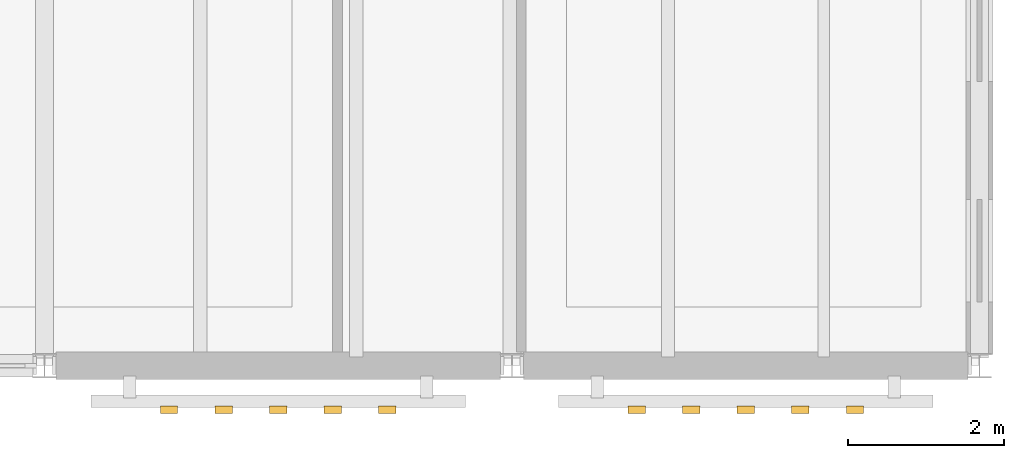
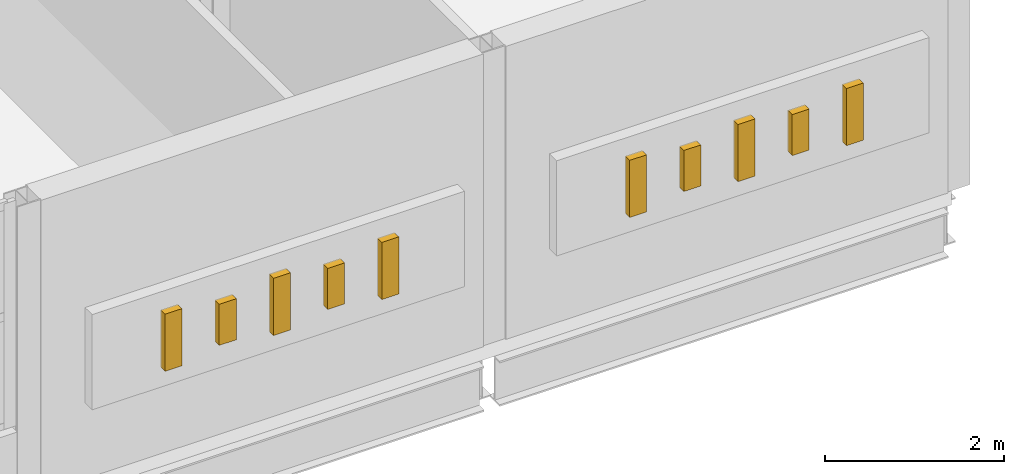
# One storey, part 92 of 92: 10 shading devices.
"""IFC4 building model written with IfcOpenShell, lengths in metres."""

from ifc_helpers import new_model, si_unit, direction, frame, origin, origin_2d, place, context, subcontext, project, spatial, rectangle, extrude, material, layer, layer_set, type_object, element, save


model = new_model("IFC4")

# Units and contexts
model_context = context("Model", 3, precision=1e-05, world=origin(), true_north=direction((0.0, 1.0)))
body_context = subcontext(model_context, "Body", "Model", "MODEL_VIEW")
ifc_project = project(units=[si_unit("LENGTHUNIT", "METRE"), si_unit("AREAUNIT", "SQUARE_METRE"), si_unit("VOLUMEUNIT", "CUBIC_METRE"), si_unit("PLANEANGLEUNIT", "RADIAN"), si_unit("MASSUNIT", "GRAM", prefix="KILO")], contexts=[model_context])

# Site, building, storey
site_placement = place(None, origin())
site = spatial("IfcSite", under=ifc_project, at=site_placement, CompositionType="ELEMENT")
building_placement = place(site_placement, origin())
building = spatial("IfcBuilding", under=site, at=building_placement, Name="Siltcreek Boulevard Central Fire Station", CompositionType="ELEMENT")
storey_placement = place(building_placement, frame((0.0, 0.0, 6.0)))
storey = spatial("IfcBuildingStorey", under=building, at=storey_placement, Name="L02", CompositionType="ELEMENT", Elevation=6.0)

# Shading devices
ifc_material = material(Name="Frey sage-green anodized tubular aluminum sunshade", Category="aluminium")
ifc_layer = layer(ifc_material, 0.080078125, Name="Frey sage-green anodized tubular aluminum sunshade")
ifc_layer_set = layer_set([ifc_layer], Name="Frey sage-green anodized tubular aluminum sunshade")
shading_device_type = type_object("IfcShadingDeviceType", Name="SHD_BRISE", PredefinedType="USERDEFINED", material=ifc_layer_set)
shading_device_1_placement = place(storey_placement, frame((49.60009765625, 1.235107421875, 1.4599609375), z_axis=(0.0, 0.0, 1.0), x_axis=(1.0, 0.0, 0.0)))
element("IfcShadingDevice", 1, at=shading_device_1_placement, inside=storey, type_object=shading_device_type, Name="Station sign architectural emblem fin SS-003", ObjectType="SUNSHADE", PredefinedType="USERDEFINED", context=body_context, shape_type="SweptSolid", body=[
    extrude(rectangle(XDim=0.219970703125, YDim=0.10009765625, at=origin_2d()), origin(), (0.0, 0.0, 1.0), 0.780029296875),
])
shading_device_2_placement = place(storey_placement, frame((50.300048828125, 1.235107421875, 1.570068359375), z_axis=(0.0, 0.0, 1.0), x_axis=(1.0, 0.0, 0.0)))
element("IfcShadingDevice", 2, at=shading_device_2_placement, inside=storey, type_object=shading_device_type, Name="Station sign architectural emblem fin SS-004", ObjectType="SUNSHADE", PredefinedType="USERDEFINED", context=body_context, shape_type="SweptSolid", body=[
    extrude(rectangle(XDim=0.219970703125, YDim=0.10009765625, at=origin_2d()), origin(), (0.0, 0.0, 1.0), 0.56005859375),
])
shading_device_3_placement = place(storey_placement, frame((51.0, 1.235107421875, 1.4599609375), z_axis=(0.0, 0.0, 1.0), x_axis=(1.0, 0.0, 0.0)))
element("IfcShadingDevice", 3, at=shading_device_3_placement, inside=storey, type_object=shading_device_type, Name="Station sign architectural emblem fin SS-005", ObjectType="SUNSHADE", PredefinedType="USERDEFINED", context=body_context, shape_type="SweptSolid", body=[
    extrude(rectangle(XDim=0.219970703125, YDim=0.10009765625, at=origin_2d()), origin(), (0.0, 0.0, 1.0), 0.780029296875),
])
shading_device_4_placement = place(storey_placement, frame((51.699951171875, 1.235107421875, 1.570068359375), z_axis=(0.0, 0.0, 1.0), x_axis=(1.0, 0.0, 0.0)))
element("IfcShadingDevice", 4, at=shading_device_4_placement, inside=storey, type_object=shading_device_type, Name="Station sign architectural emblem fin SS-006", ObjectType="SUNSHADE", PredefinedType="USERDEFINED", context=body_context, shape_type="SweptSolid", body=[
    extrude(rectangle(XDim=0.219970703125, YDim=0.10009765625, at=origin_2d()), origin(), (0.0, 0.0, 1.0), 0.56005859375),
])
for number, where, z_axis, x_axis, name in (
    (5, (52.39990234375, 1.235107421875, 1.4599609375), (0.0, 0.0, 1.0), (1.0, 0.0, 0.0), "Station sign architectural emblem fin SS-007"),
    (6, (55.60009765625, 1.235107421875, 1.4599609375), (0.0, 0.0, 1.0), (1.0, 0.0, 0.0), "Station sign architectural emblem fin SS-009"),
):
    element("IfcShadingDevice", number, at=place(storey_placement, frame(where, z_axis=z_axis, x_axis=x_axis)), inside=storey, type_object=shading_device_type, Name=name, ObjectType="SUNSHADE", PredefinedType="USERDEFINED", context=body_context, shape_type="SweptSolid", body=[
        extrude(rectangle(XDim=0.219970703125, YDim=0.10009765625, at=origin_2d()), origin(), (0.0, 0.0, 1.0), 0.780029296875),
    ])
shading_device_5_placement = place(storey_placement, frame((56.300048828125, 1.235107421875, 1.570068359375), z_axis=(0.0, 0.0, 1.0), x_axis=(1.0, 0.0, 0.0)))
element("IfcShadingDevice", 7, at=shading_device_5_placement, inside=storey, type_object=shading_device_type, Name="Station sign architectural emblem fin SS-010", ObjectType="SUNSHADE", PredefinedType="USERDEFINED", context=body_context, shape_type="SweptSolid", body=[
    extrude(rectangle(XDim=0.219970703125, YDim=0.10009765625, at=origin_2d()), origin(), (0.0, 0.0, 1.0), 0.56005859375),
])
shading_device_6_placement = place(storey_placement, frame((57.0, 1.235107421875, 1.4599609375), z_axis=(0.0, 0.0, 1.0), x_axis=(1.0, 0.0, 0.0)))
element("IfcShadingDevice", 8, at=shading_device_6_placement, inside=storey, type_object=shading_device_type, Name="Station sign architectural emblem fin SS-011", ObjectType="SUNSHADE", PredefinedType="USERDEFINED", context=body_context, shape_type="SweptSolid", body=[
    extrude(rectangle(XDim=0.219970703125, YDim=0.10009765625, at=origin_2d()), origin(), (0.0, 0.0, 1.0), 0.780029296875),
])
shading_device_7_placement = place(storey_placement, frame((57.699951171875, 1.235107421875, 1.570068359375), z_axis=(0.0, 0.0, 1.0), x_axis=(1.0, 0.0, 0.0)))
element("IfcShadingDevice", 9, at=shading_device_7_placement, inside=storey, type_object=shading_device_type, Name="Station sign architectural emblem fin SS-012", ObjectType="SUNSHADE", PredefinedType="USERDEFINED", context=body_context, shape_type="SweptSolid", body=[
    extrude(rectangle(XDim=0.219970703125, YDim=0.10009765625, at=origin_2d()), origin(), (0.0, 0.0, 1.0), 0.56005859375),
])
shading_device_8_placement = place(storey_placement, frame((58.39990234375, 1.235107421875, 1.4599609375), z_axis=(0.0, 0.0, 1.0), x_axis=(1.0, 0.0, 0.0)))
element("IfcShadingDevice", 10, at=shading_device_8_placement, inside=storey, type_object=shading_device_type, Name="Station sign architectural emblem fin SS-013", ObjectType="SUNSHADE", PredefinedType="USERDEFINED", context=body_context, shape_type="SweptSolid", body=[
    extrude(rectangle(XDim=0.219970703125, YDim=0.10009765625, at=origin_2d()), origin(), (0.0, 0.0, 1.0), 0.780029296875),
])

save(model, "model.ifc")
